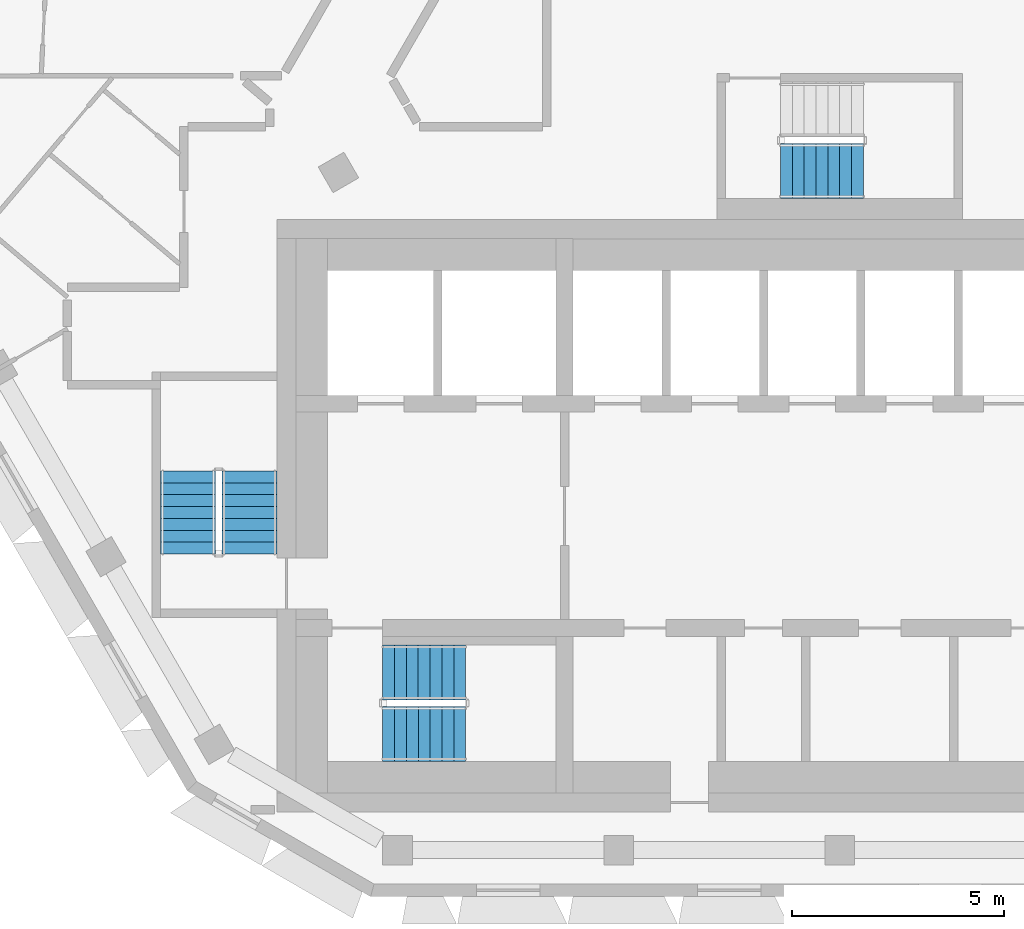
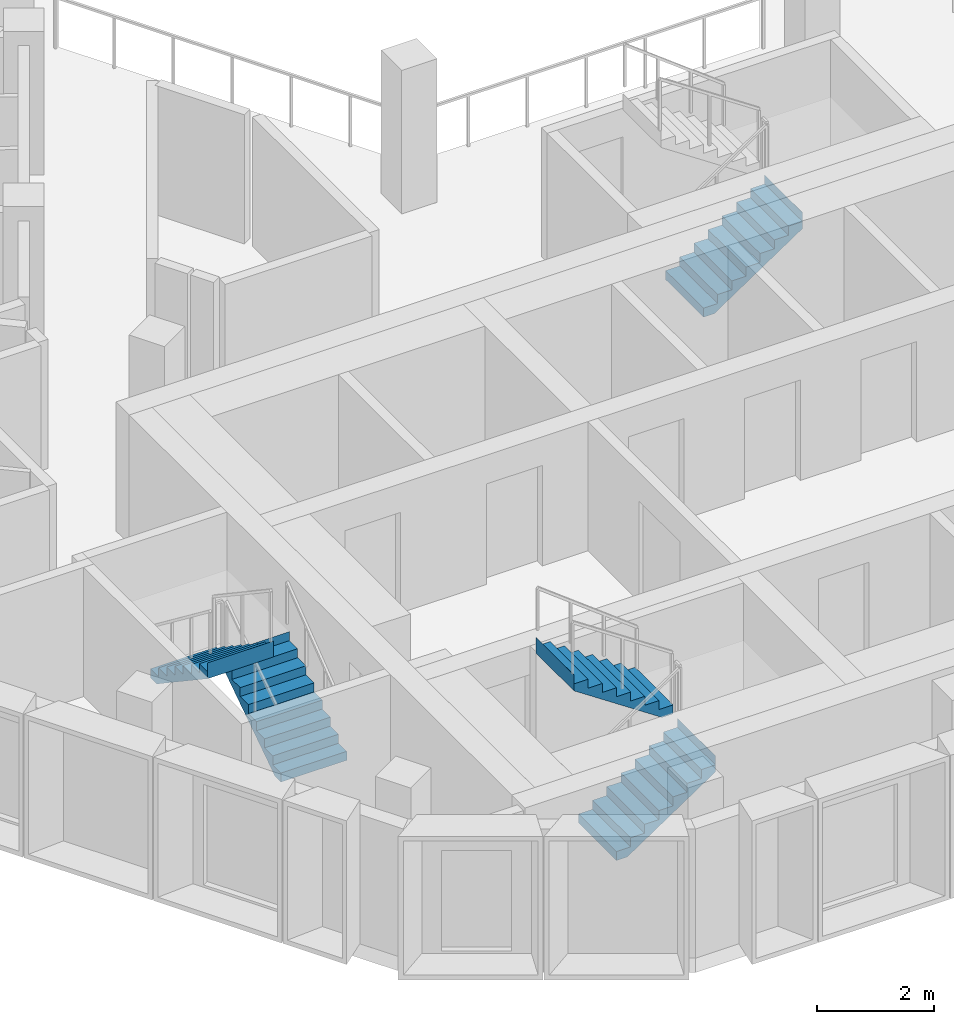
# One storey, part 9 of 15: 5 stair flights, 3 elements without a shape of their own.
"""IFC4 building model written with IfcOpenShell, lengths in metres."""

from ifc_helpers import new_model, si_unit, direction, frame, origin, place, context, subcontext, project, spatial, triangles, material, type_object, element, aggregate, save


model = new_model("IFC4")

# Units and contexts
model_context = context("Model", 3, precision=1e-05, world=origin(), true_north=direction((0.0, 1.0)))
body_context = subcontext(model_context, "Body", "Model", "MODEL_VIEW")
ifc_project = project(units=[si_unit("LENGTHUNIT", "METRE"), si_unit("AREAUNIT", "SQUARE_METRE"), si_unit("VOLUMEUNIT", "CUBIC_METRE"), si_unit("PLANEANGLEUNIT", "RADIAN"), si_unit("MASSUNIT", "GRAM", prefix="KILO")], contexts=[model_context])

# Site, building, storey
site_placement = place(None, origin())
site = spatial("IfcSite", under=ifc_project, at=site_placement, CompositionType="ELEMENT")
building_placement = place(site_placement, origin())
building = spatial("IfcBuilding", under=site, at=building_placement, Name="Beryl Residences", CompositionType="ELEMENT")
storey_placement = place(building_placement, frame((0.0, 0.0, 217.800048828125)))
storey = spatial("IfcBuildingStorey", under=building, at=storey_placement, Name="L67", CompositionType="ELEMENT", Elevation=217.800048828125)

# Stair, stair flights
ifc_material_1 = material(Name="Concrete C40/50", Category="concrete")
stair_type = type_object("IfcStairType", Name="ST1 protected exit stair, half-turn, 1300 mm flights", PredefinedType="HALF_TURN_STAIR", material=ifc_material_1)
stair_1_placement = place(storey_placement, origin())
stair_1 = element("IfcStair", 1, at=stair_1_placement, inside=storey, type_object=stair_type, Name="L67 PROTECTED EXIT STAIR ST-1", PredefinedType="HALF_TURN_STAIR")
ifc_material_2 = material(Name="Concrete C40/50", Category="concrete")
stair_flight_type = type_object("IfcStairFlightType", Name="SF1 stair flight 1300 mm", PredefinedType="STRAIGHT", material=ifc_material_2)
stair_flight_1_placement = place(storey_placement, frame((-10.800048828125, -17.14990234375, 0.0), z_axis=(0.0, 0.0, 1.0), x_axis=(1.0, 0.0, 0.0)))
stair_flight_1 = element("IfcStairFlight", 2, at=stair_flight_1_placement, type_object=stair_flight_type, Name="ST-1 flight 1", NumberOfRisers=8, NumberOfTreads=7, PredefinedType="STRAIGHT", RiserHeight=0.1875, TreadLength=0.28, context=body_context, shape_type="Tessellation", body=[
    triangles([(0.0, -0.64990234375, 0.0), (0.0, -0.324951171875, 0.0), (0.0, 0.0, 0.0), (0.0, 0.324951171875, 0.0), (0.0, 0.64990234375, 0.0), (0.0, -0.64990234375, 0.1875), (0.0, -0.324951171875, 0.1875), (0.0, 0.0, 0.1875), (0.0, 0.324951171875, 0.1875), (0.0, 0.64990234375, 0.1875), (0.280029296875, -0.64990234375, 0.1875), (0.280029296875, -0.324951171875, 0.1875), (0.280029296875, 0.0, 0.1875), (0.280029296875, 0.324951171875, 0.1875), (0.280029296875, 0.64990234375, 0.1875), (0.280029296875, -0.64990234375, 0.375), (0.280029296875, -0.324951171875, 0.375), (0.280029296875, 0.0, 0.375), (0.280029296875, 0.324951171875, 0.375), (0.280029296875, 0.64990234375, 0.375), (0.56005859375, -0.64990234375, 0.375), (0.56005859375, -0.324951171875, 0.375), (0.56005859375, 0.0, 0.375), (0.56005859375, 0.324951171875, 0.375), (0.56005859375, 0.64990234375, 0.375), (0.56005859375, -0.64990234375, 0.5625), (0.56005859375, -0.324951171875, 0.5625), (0.56005859375, 0.0, 0.5625), (0.56005859375, 0.324951171875, 0.5625), (0.56005859375, 0.64990234375, 0.5625), (0.840087890625, -0.64990234375, 0.5625), (0.840087890625, -0.324951171875, 0.5625), (0.840087890625, 0.0, 0.5625), (0.840087890625, 0.324951171875, 0.5625), (0.840087890625, 0.64990234375, 0.5625), (0.840087890625, -0.64990234375, 0.75), (0.840087890625, -0.324951171875, 0.75), (0.840087890625, 0.0, 0.75), (0.840087890625, 0.324951171875, 0.75), (0.840087890625, 0.64990234375, 0.75), (1.1201171875, -0.64990234375, 0.75), (1.1201171875, -0.324951171875, 0.75), (1.1201171875, 0.0, 0.75), (1.1201171875, 0.324951171875, 0.75), (1.1201171875, 0.64990234375, 0.75), (1.1201171875, -0.64990234375, 0.9375), (1.1201171875, -0.324951171875, 0.9375), (1.1201171875, 0.0, 0.9375), (1.1201171875, 0.324951171875, 0.9375), (1.1201171875, 0.64990234375, 0.9375), (1.39990234375, -0.64990234375, 0.9375), (1.39990234375, -0.324951171875, 0.9375), (1.39990234375, 0.0, 0.9375), (1.39990234375, 0.324951171875, 0.9375), (1.39990234375, 0.64990234375, 0.9375), (1.39990234375, -0.64990234375, 1.125), (1.39990234375, -0.324951171875, 1.125), (1.39990234375, 0.0, 1.125), (1.39990234375, 0.324951171875, 1.125), (1.39990234375, 0.64990234375, 1.125), (1.679931640625, -0.64990234375, 1.125), (1.679931640625, -0.324951171875, 1.125), (1.679931640625, 0.0, 1.125), (1.679931640625, 0.324951171875, 1.125), (1.679931640625, 0.64990234375, 1.125), (1.679931640625, -0.64990234375, 1.3125), (1.679931640625, -0.324951171875, 1.3125), (1.679931640625, 0.0, 1.3125), (1.679931640625, 0.324951171875, 1.3125), (1.679931640625, 0.64990234375, 1.3125), (1.9599609375, -0.64990234375, 1.3125), (1.9599609375, -0.324951171875, 1.3125), (1.9599609375, 0.0, 1.3125), (1.9599609375, 0.324951171875, 1.3125), (1.9599609375, 0.64990234375, 1.3125), (1.9599609375, -0.64990234375, 1.5), (1.9599609375, -0.324951171875, 1.5), (1.9599609375, 0.0, 1.5), (1.9599609375, 0.324951171875, 1.5), (1.9599609375, 0.64990234375, 1.5), (1.9609375, -0.64990234375, 1.5), (1.9609375, -0.324951171875, 1.5), (1.9609375, 0.0, 1.5), (1.9609375, 0.324951171875, 1.5), (1.9609375, 0.64990234375, 1.5), (1.9609375, -0.64990234375, 1.16796875), (1.9609375, -0.324951171875, 1.16796875), (1.9609375, 0.0, 1.16796875), (1.9609375, 0.324951171875, 1.16796875), (1.9609375, 0.64990234375, 1.16796875), (0.216796875, -0.64990234375, 0.0), (0.216796875, -0.324951171875, 0.0), (0.216796875, 0.0, 0.0), (0.216796875, 0.324951171875, 0.0), (0.216796875, 0.64990234375, 0.0)], [[1, 6, 7], [1, 7, 2], [2, 7, 8], [2, 8, 3], [3, 8, 9], [3, 9, 4], [4, 9, 10], [4, 10, 5], [6, 11, 12], [6, 12, 7], [7, 12, 13], [7, 13, 8], [8, 13, 14], [8, 14, 9], [9, 14, 15], [9, 15, 10], [11, 16, 17], [11, 17, 12], [12, 17, 18], [12, 18, 13], [13, 18, 19], [13, 19, 14], [14, 19, 20], [14, 20, 15], [16, 21, 22], [16, 22, 17], [17, 22, 23], [17, 23, 18], [18, 23, 24], [18, 24, 19], [19, 24, 25], [19, 25, 20], [21, 26, 27], [21, 27, 22], [22, 27, 28], [22, 28, 23], [23, 28, 29], [23, 29, 24], [24, 29, 30], [24, 30, 25], [26, 31, 32], [26, 32, 27], [27, 32, 33], [27, 33, 28], [28, 33, 34], [28, 34, 29], [29, 34, 35], [29, 35, 30], [31, 36, 37], [31, 37, 32], [32, 37, 38], [32, 38, 33], [33, 38, 39], [33, 39, 34], [34, 39, 40], [34, 40, 35], [36, 41, 42], [36, 42, 37], [37, 42, 43], [37, 43, 38], [38, 43, 44], [38, 44, 39], [39, 44, 45], [39, 45, 40], [41, 46, 47], [41, 47, 42], [42, 47, 48], [42, 48, 43], [43, 48, 49], [43, 49, 44], [44, 49, 50], [44, 50, 45], [46, 51, 52], [46, 52, 47], [47, 52, 53], [47, 53, 48], [48, 53, 54], [48, 54, 49], [49, 54, 55], [49, 55, 50], [51, 56, 57], [51, 57, 52], [52, 57, 58], [52, 58, 53], [53, 58, 59], [53, 59, 54], [54, 59, 60], [54, 60, 55], [56, 61, 62], [56, 62, 57], [57, 62, 63], [57, 63, 58], [58, 63, 64], [58, 64, 59], [59, 64, 65], [59, 65, 60], [61, 66, 67], [61, 67, 62], [62, 67, 68], [62, 68, 63], [63, 68, 69], [63, 69, 64], [64, 69, 70], [64, 70, 65], [66, 71, 72], [66, 72, 67], [67, 72, 73], [67, 73, 68], [68, 73, 74], [68, 74, 69], [69, 74, 75], [69, 75, 70], [71, 76, 77], [71, 77, 72], [72, 77, 78], [72, 78, 73], [73, 78, 79], [73, 79, 74], [74, 79, 80], [74, 80, 75], [76, 81, 82], [76, 82, 77], [77, 82, 83], [77, 83, 78], [78, 83, 84], [78, 84, 79], [79, 84, 85], [79, 85, 80], [81, 86, 87], [81, 87, 82], [82, 87, 88], [82, 88, 83], [83, 88, 89], [83, 89, 84], [84, 89, 90], [84, 90, 85], [86, 91, 92], [86, 92, 87], [87, 92, 93], [87, 93, 88], [88, 93, 94], [88, 94, 89], [89, 94, 95], [89, 95, 90], [91, 1, 2], [91, 2, 92], [92, 2, 3], [92, 3, 93], [93, 3, 4], [93, 4, 94], [94, 4, 5], [94, 5, 95], [1, 91, 86], [5, 90, 95], [86, 81, 76], [90, 80, 85], [86, 76, 71], [90, 75, 80], [86, 71, 66], [90, 70, 75], [86, 66, 61], [90, 65, 70], [61, 56, 51], [65, 55, 60], [86, 61, 51], [90, 55, 65], [51, 46, 41], [55, 45, 50], [86, 51, 41], [90, 45, 55], [41, 36, 31], [45, 35, 40], [86, 41, 31], [90, 35, 45], [31, 26, 21], [35, 25, 30], [86, 31, 21], [90, 25, 35], [21, 16, 11], [25, 15, 20], [86, 21, 11], [90, 15, 25], [1, 86, 11], [5, 15, 90], [11, 6, 1], [15, 5, 10]], closed=True),
])
stair_flight_2_placement = place(storey_placement, frame((-8.840087890625, -15.699951171875, 1.5), z_axis=(0.0, 0.0, 1.0), x_axis=(-1.0, 0.0, 0.0)))
stair_flight_2 = element("IfcStairFlight", 3, at=stair_flight_2_placement, type_object=stair_flight_type, Name="ST-1 flight 2", NumberOfRisers=8, NumberOfTreads=7, PredefinedType="STRAIGHT", RiserHeight=0.1875, TreadLength=0.28, context=body_context, shape_type="Tessellation", body=[
    triangles([(0.0, -0.64990234375, 0.0), (0.0, -0.324951171875, 0.0), (0.0, 0.0, 0.0), (0.0, 0.324951171875, 0.0), (0.0, 0.64990234375, 0.0), (0.0, -0.64990234375, 0.1875), (0.0, -0.324951171875, 0.1875), (0.0, 0.0, 0.1875), (0.0, 0.324951171875, 0.1875), (0.0, 0.64990234375, 0.1875), (0.280029296875, -0.64990234375, 0.1875), (0.280029296875, -0.324951171875, 0.1875), (0.280029296875, 0.0, 0.1875), (0.280029296875, 0.324951171875, 0.1875), (0.280029296875, 0.64990234375, 0.1875), (0.280029296875, -0.64990234375, 0.375), (0.280029296875, -0.324951171875, 0.375), (0.280029296875, 0.0, 0.375), (0.280029296875, 0.324951171875, 0.375), (0.280029296875, 0.64990234375, 0.375), (0.56005859375, -0.64990234375, 0.375), (0.56005859375, -0.324951171875, 0.375), (0.56005859375, 0.0, 0.375), (0.56005859375, 0.324951171875, 0.375), (0.56005859375, 0.64990234375, 0.375), (0.56005859375, -0.64990234375, 0.5625), (0.56005859375, -0.324951171875, 0.5625), (0.56005859375, 0.0, 0.5625), (0.56005859375, 0.324951171875, 0.5625), (0.56005859375, 0.64990234375, 0.5625), (0.840087890625, -0.64990234375, 0.5625), (0.840087890625, -0.324951171875, 0.5625), (0.840087890625, 0.0, 0.5625), (0.840087890625, 0.324951171875, 0.5625), (0.840087890625, 0.64990234375, 0.5625), (0.840087890625, -0.64990234375, 0.75), (0.840087890625, -0.324951171875, 0.75), (0.840087890625, 0.0, 0.75), (0.840087890625, 0.324951171875, 0.75), (0.840087890625, 0.64990234375, 0.75), (1.1201171875, -0.64990234375, 0.75), (1.1201171875, -0.324951171875, 0.75), (1.1201171875, 0.0, 0.75), (1.1201171875, 0.324951171875, 0.75), (1.1201171875, 0.64990234375, 0.75), (1.1201171875, -0.64990234375, 0.9375), (1.1201171875, -0.324951171875, 0.9375), (1.1201171875, 0.0, 0.9375), (1.1201171875, 0.324951171875, 0.9375), (1.1201171875, 0.64990234375, 0.9375), (1.39990234375, -0.64990234375, 0.9375), (1.39990234375, -0.324951171875, 0.9375), (1.39990234375, 0.0, 0.9375), (1.39990234375, 0.324951171875, 0.9375), (1.39990234375, 0.64990234375, 0.9375), (1.39990234375, -0.64990234375, 1.125), (1.39990234375, -0.324951171875, 1.125), (1.39990234375, 0.0, 1.125), (1.39990234375, 0.324951171875, 1.125), (1.39990234375, 0.64990234375, 1.125), (1.679931640625, -0.64990234375, 1.125), (1.679931640625, -0.324951171875, 1.125), (1.679931640625, 0.0, 1.125), (1.679931640625, 0.324951171875, 1.125), (1.679931640625, 0.64990234375, 1.125), (1.679931640625, -0.64990234375, 1.3125), (1.679931640625, -0.324951171875, 1.3125), (1.679931640625, 0.0, 1.3125), (1.679931640625, 0.324951171875, 1.3125), (1.679931640625, 0.64990234375, 1.3125), (1.9599609375, -0.64990234375, 1.3125), (1.9599609375, -0.324951171875, 1.3125), (1.9599609375, 0.0, 1.3125), (1.9599609375, 0.324951171875, 1.3125), (1.9599609375, 0.64990234375, 1.3125), (1.9599609375, -0.64990234375, 1.5), (1.9599609375, -0.324951171875, 1.5), (1.9599609375, 0.0, 1.5), (1.9599609375, 0.324951171875, 1.5), (1.9599609375, 0.64990234375, 1.5), (1.9609375, -0.64990234375, 1.5), (1.9609375, -0.324951171875, 1.5), (1.9609375, 0.0, 1.5), (1.9609375, 0.324951171875, 1.5), (1.9609375, 0.64990234375, 1.5), (1.9609375, -0.64990234375, 1.16796875), (1.9609375, -0.324951171875, 1.16796875), (1.9609375, 0.0, 1.16796875), (1.9609375, 0.324951171875, 1.16796875), (1.9609375, 0.64990234375, 1.16796875), (0.216796875, -0.64990234375, 0.0), (0.216796875, -0.324951171875, 0.0), (0.216796875, 0.0, 0.0), (0.216796875, 0.324951171875, 0.0), (0.216796875, 0.64990234375, 0.0)], [[1, 6, 7], [1, 7, 2], [2, 7, 8], [2, 8, 3], [3, 8, 9], [3, 9, 4], [4, 9, 10], [4, 10, 5], [6, 11, 12], [6, 12, 7], [7, 12, 13], [7, 13, 8], [8, 13, 14], [8, 14, 9], [9, 14, 15], [9, 15, 10], [11, 16, 17], [11, 17, 12], [12, 17, 18], [12, 18, 13], [13, 18, 19], [13, 19, 14], [14, 19, 20], [14, 20, 15], [16, 21, 22], [16, 22, 17], [17, 22, 23], [17, 23, 18], [18, 23, 24], [18, 24, 19], [19, 24, 25], [19, 25, 20], [21, 26, 27], [21, 27, 22], [22, 27, 28], [22, 28, 23], [23, 28, 29], [23, 29, 24], [24, 29, 30], [24, 30, 25], [26, 31, 32], [26, 32, 27], [27, 32, 33], [27, 33, 28], [28, 33, 34], [28, 34, 29], [29, 34, 35], [29, 35, 30], [31, 36, 37], [31, 37, 32], [32, 37, 38], [32, 38, 33], [33, 38, 39], [33, 39, 34], [34, 39, 40], [34, 40, 35], [36, 41, 42], [36, 42, 37], [37, 42, 43], [37, 43, 38], [38, 43, 44], [38, 44, 39], [39, 44, 45], [39, 45, 40], [41, 46, 47], [41, 47, 42], [42, 47, 48], [42, 48, 43], [43, 48, 49], [43, 49, 44], [44, 49, 50], [44, 50, 45], [46, 51, 52], [46, 52, 47], [47, 52, 53], [47, 53, 48], [48, 53, 54], [48, 54, 49], [49, 54, 55], [49, 55, 50], [51, 56, 57], [51, 57, 52], [52, 57, 58], [52, 58, 53], [53, 58, 59], [53, 59, 54], [54, 59, 60], [54, 60, 55], [56, 61, 62], [56, 62, 57], [57, 62, 63], [57, 63, 58], [58, 63, 64], [58, 64, 59], [59, 64, 65], [59, 65, 60], [61, 66, 67], [61, 67, 62], [62, 67, 68], [62, 68, 63], [63, 68, 69], [63, 69, 64], [64, 69, 70], [64, 70, 65], [66, 71, 72], [66, 72, 67], [67, 72, 73], [67, 73, 68], [68, 73, 74], [68, 74, 69], [69, 74, 75], [69, 75, 70], [71, 76, 77], [71, 77, 72], [72, 77, 78], [72, 78, 73], [73, 78, 79], [73, 79, 74], [74, 79, 80], [74, 80, 75], [76, 81, 82], [76, 82, 77], [77, 82, 83], [77, 83, 78], [78, 83, 84], [78, 84, 79], [79, 84, 85], [79, 85, 80], [81, 86, 87], [81, 87, 82], [82, 87, 88], [82, 88, 83], [83, 88, 89], [83, 89, 84], [84, 89, 90], [84, 90, 85], [86, 91, 92], [86, 92, 87], [87, 92, 93], [87, 93, 88], [88, 93, 94], [88, 94, 89], [89, 94, 95], [89, 95, 90], [91, 1, 2], [91, 2, 92], [92, 2, 3], [92, 3, 93], [93, 3, 4], [93, 4, 94], [94, 4, 5], [94, 5, 95], [1, 91, 86], [5, 90, 95], [86, 81, 76], [90, 80, 85], [86, 76, 71], [90, 75, 80], [86, 71, 66], [90, 70, 75], [86, 66, 61], [90, 65, 70], [61, 56, 51], [65, 55, 60], [86, 61, 51], [90, 55, 65], [51, 46, 41], [55, 45, 50], [86, 51, 41], [90, 45, 55], [41, 36, 31], [45, 35, 40], [86, 41, 31], [90, 35, 45], [31, 26, 21], [35, 25, 30], [86, 31, 21], [90, 25, 35], [21, 16, 11], [25, 15, 20], [86, 21, 11], [90, 15, 25], [1, 86, 11], [5, 15, 90], [11, 6, 1], [15, 5, 10]], closed=True),
])
aggregate(stair_1, [stair_flight_1, stair_flight_2])

stair_2_placement = place(storey_placement, origin())
stair_2 = element("IfcStair", 4, at=stair_2_placement, inside=storey, type_object=stair_type, Name="L67 PROTECTED EXIT STAIR ST-2", PredefinedType="HALF_TURN_STAIR")
stair_flight_3_placement = place(storey_placement, frame((-13.949951171875, -12.89990234375, 0.0), z_axis=(0.0, 0.0, 1.0), x_axis=(0.0, 1.0, 0.0)))
stair_flight_3 = element("IfcStairFlight", 5, at=stair_flight_3_placement, type_object=stair_flight_type, Name="ST-2 flight 1", NumberOfRisers=8, NumberOfTreads=7, PredefinedType="STRAIGHT", RiserHeight=0.1875, TreadLength=0.28, context=body_context, shape_type="Tessellation", body=[
    triangles([(0.0, -0.64990234375, 0.0), (0.0, -0.324951171875, 0.0), (0.0, 0.0, 0.0), (0.0, 0.324951171875, 0.0), (0.0, 0.64990234375, 0.0), (0.0, -0.64990234375, 0.1875), (0.0, -0.324951171875, 0.1875), (0.0, 0.0, 0.1875), (0.0, 0.324951171875, 0.1875), (0.0, 0.64990234375, 0.1875), (0.280029296875, -0.64990234375, 0.1875), (0.280029296875, -0.324951171875, 0.1875), (0.280029296875, 0.0, 0.1875), (0.280029296875, 0.324951171875, 0.1875), (0.280029296875, 0.64990234375, 0.1875), (0.280029296875, -0.64990234375, 0.375), (0.280029296875, -0.324951171875, 0.375), (0.280029296875, 0.0, 0.375), (0.280029296875, 0.324951171875, 0.375), (0.280029296875, 0.64990234375, 0.375), (0.56005859375, -0.64990234375, 0.375), (0.56005859375, -0.324951171875, 0.375), (0.56005859375, 0.0, 0.375), (0.56005859375, 0.324951171875, 0.375), (0.56005859375, 0.64990234375, 0.375), (0.56005859375, -0.64990234375, 0.5625), (0.56005859375, -0.324951171875, 0.5625), (0.56005859375, 0.0, 0.5625), (0.56005859375, 0.324951171875, 0.5625), (0.56005859375, 0.64990234375, 0.5625), (0.840087890625, -0.64990234375, 0.5625), (0.840087890625, -0.324951171875, 0.5625), (0.840087890625, 0.0, 0.5625), (0.840087890625, 0.324951171875, 0.5625), (0.840087890625, 0.64990234375, 0.5625), (0.840087890625, -0.64990234375, 0.75), (0.840087890625, -0.324951171875, 0.75), (0.840087890625, 0.0, 0.75), (0.840087890625, 0.324951171875, 0.75), (0.840087890625, 0.64990234375, 0.75), (1.1201171875, -0.64990234375, 0.75), (1.1201171875, -0.324951171875, 0.75), (1.1201171875, 0.0, 0.75), (1.1201171875, 0.324951171875, 0.75), (1.1201171875, 0.64990234375, 0.75), (1.1201171875, -0.64990234375, 0.9375), (1.1201171875, -0.324951171875, 0.9375), (1.1201171875, 0.0, 0.9375), (1.1201171875, 0.324951171875, 0.9375), (1.1201171875, 0.64990234375, 0.9375), (1.39990234375, -0.64990234375, 0.9375), (1.39990234375, -0.324951171875, 0.9375), (1.39990234375, 0.0, 0.9375), (1.39990234375, 0.324951171875, 0.9375), (1.39990234375, 0.64990234375, 0.9375), (1.39990234375, -0.64990234375, 1.125), (1.39990234375, -0.324951171875, 1.125), (1.39990234375, 0.0, 1.125), (1.39990234375, 0.324951171875, 1.125), (1.39990234375, 0.64990234375, 1.125), (1.679931640625, -0.64990234375, 1.125), (1.679931640625, -0.324951171875, 1.125), (1.679931640625, 0.0, 1.125), (1.679931640625, 0.324951171875, 1.125), (1.679931640625, 0.64990234375, 1.125), (1.679931640625, -0.64990234375, 1.3125), (1.679931640625, -0.324951171875, 1.3125), (1.679931640625, 0.0, 1.3125), (1.679931640625, 0.324951171875, 1.3125), (1.679931640625, 0.64990234375, 1.3125), (1.9599609375, -0.64990234375, 1.3125), (1.9599609375, -0.324951171875, 1.3125), (1.9599609375, 0.0, 1.3125), (1.9599609375, 0.324951171875, 1.3125), (1.9599609375, 0.64990234375, 1.3125), (1.9599609375, -0.64990234375, 1.5), (1.9599609375, -0.324951171875, 1.5), (1.9599609375, 0.0, 1.5), (1.9599609375, 0.324951171875, 1.5), (1.9599609375, 0.64990234375, 1.5), (1.9609375, -0.64990234375, 1.5), (1.9609375, -0.324951171875, 1.5), (1.9609375, 0.0, 1.5), (1.9609375, 0.324951171875, 1.5), (1.9609375, 0.64990234375, 1.5), (1.9609375, -0.64990234375, 1.16796875), (1.9609375, -0.324951171875, 1.16796875), (1.9609375, 0.0, 1.16796875), (1.9609375, 0.324951171875, 1.16796875), (1.9609375, 0.64990234375, 1.16796875), (0.216796875, -0.64990234375, 0.0), (0.216796875, -0.324951171875, 0.0), (0.216796875, 0.0, 0.0), (0.216796875, 0.324951171875, 0.0), (0.216796875, 0.64990234375, 0.0)], [[1, 6, 7], [1, 7, 2], [2, 7, 8], [2, 8, 3], [3, 8, 9], [3, 9, 4], [4, 9, 10], [4, 10, 5], [6, 11, 12], [6, 12, 7], [7, 12, 13], [7, 13, 8], [8, 13, 14], [8, 14, 9], [9, 14, 15], [9, 15, 10], [11, 16, 17], [11, 17, 12], [12, 17, 18], [12, 18, 13], [13, 18, 19], [13, 19, 14], [14, 19, 20], [14, 20, 15], [16, 21, 22], [16, 22, 17], [17, 22, 23], [17, 23, 18], [18, 23, 24], [18, 24, 19], [19, 24, 25], [19, 25, 20], [21, 26, 27], [21, 27, 22], [22, 27, 28], [22, 28, 23], [23, 28, 29], [23, 29, 24], [24, 29, 30], [24, 30, 25], [26, 31, 32], [26, 32, 27], [27, 32, 33], [27, 33, 28], [28, 33, 34], [28, 34, 29], [29, 34, 35], [29, 35, 30], [31, 36, 37], [31, 37, 32], [32, 37, 38], [32, 38, 33], [33, 38, 39], [33, 39, 34], [34, 39, 40], [34, 40, 35], [36, 41, 42], [36, 42, 37], [37, 42, 43], [37, 43, 38], [38, 43, 44], [38, 44, 39], [39, 44, 45], [39, 45, 40], [41, 46, 47], [41, 47, 42], [42, 47, 48], [42, 48, 43], [43, 48, 49], [43, 49, 44], [44, 49, 50], [44, 50, 45], [46, 51, 52], [46, 52, 47], [47, 52, 53], [47, 53, 48], [48, 53, 54], [48, 54, 49], [49, 54, 55], [49, 55, 50], [51, 56, 57], [51, 57, 52], [52, 57, 58], [52, 58, 53], [53, 58, 59], [53, 59, 54], [54, 59, 60], [54, 60, 55], [56, 61, 62], [56, 62, 57], [57, 62, 63], [57, 63, 58], [58, 63, 64], [58, 64, 59], [59, 64, 65], [59, 65, 60], [61, 66, 67], [61, 67, 62], [62, 67, 68], [62, 68, 63], [63, 68, 69], [63, 69, 64], [64, 69, 70], [64, 70, 65], [66, 71, 72], [66, 72, 67], [67, 72, 73], [67, 73, 68], [68, 73, 74], [68, 74, 69], [69, 74, 75], [69, 75, 70], [71, 76, 77], [71, 77, 72], [72, 77, 78], [72, 78, 73], [73, 78, 79], [73, 79, 74], [74, 79, 80], [74, 80, 75], [76, 81, 82], [76, 82, 77], [77, 82, 83], [77, 83, 78], [78, 83, 84], [78, 84, 79], [79, 84, 85], [79, 85, 80], [81, 86, 87], [81, 87, 82], [82, 87, 88], [82, 88, 83], [83, 88, 89], [83, 89, 84], [84, 89, 90], [84, 90, 85], [86, 91, 92], [86, 92, 87], [87, 92, 93], [87, 93, 88], [88, 93, 94], [88, 94, 89], [89, 94, 95], [89, 95, 90], [91, 1, 2], [91, 2, 92], [92, 2, 3], [92, 3, 93], [93, 3, 4], [93, 4, 94], [94, 4, 5], [94, 5, 95], [1, 91, 86], [5, 90, 95], [86, 81, 76], [90, 80, 85], [86, 76, 71], [90, 75, 80], [86, 71, 66], [90, 70, 75], [86, 66, 61], [90, 65, 70], [61, 56, 51], [65, 55, 60], [86, 61, 51], [90, 55, 65], [51, 46, 41], [55, 45, 50], [86, 51, 41], [90, 45, 55], [41, 36, 31], [45, 35, 40], [86, 41, 31], [90, 35, 45], [31, 26, 21], [35, 25, 30], [86, 31, 21], [90, 25, 35], [21, 16, 11], [25, 15, 20], [86, 21, 11], [90, 15, 25], [1, 86, 11], [5, 15, 90], [11, 6, 1], [15, 5, 10]], closed=True),
])
stair_flight_4_placement = place(storey_placement, frame((-15.39990234375, -10.93994140625, 1.5), z_axis=(0.0, 0.0, 1.0), x_axis=(0.0, -1.0, 0.0)))
stair_flight_4 = element("IfcStairFlight", 6, at=stair_flight_4_placement, type_object=stair_flight_type, Name="ST-2 flight 2", NumberOfRisers=8, NumberOfTreads=7, PredefinedType="STRAIGHT", RiserHeight=0.1875, TreadLength=0.28, context=body_context, shape_type="Tessellation", body=[
    triangles([(0.0, -0.64990234375, 0.0), (0.0, -0.324951171875, 0.0), (0.0, 0.0, 0.0), (0.0, 0.324951171875, 0.0), (0.0, 0.64990234375, 0.0), (0.0, -0.64990234375, 0.1875), (0.0, -0.324951171875, 0.1875), (0.0, 0.0, 0.1875), (0.0, 0.324951171875, 0.1875), (0.0, 0.64990234375, 0.1875), (0.280029296875, -0.64990234375, 0.1875), (0.280029296875, -0.324951171875, 0.1875), (0.280029296875, 0.0, 0.1875), (0.280029296875, 0.324951171875, 0.1875), (0.280029296875, 0.64990234375, 0.1875), (0.280029296875, -0.64990234375, 0.375), (0.280029296875, -0.324951171875, 0.375), (0.280029296875, 0.0, 0.375), (0.280029296875, 0.324951171875, 0.375), (0.280029296875, 0.64990234375, 0.375), (0.56005859375, -0.64990234375, 0.375), (0.56005859375, -0.324951171875, 0.375), (0.56005859375, 0.0, 0.375), (0.56005859375, 0.324951171875, 0.375), (0.56005859375, 0.64990234375, 0.375), (0.56005859375, -0.64990234375, 0.5625), (0.56005859375, -0.324951171875, 0.5625), (0.56005859375, 0.0, 0.5625), (0.56005859375, 0.324951171875, 0.5625), (0.56005859375, 0.64990234375, 0.5625), (0.840087890625, -0.64990234375, 0.5625), (0.840087890625, -0.324951171875, 0.5625), (0.840087890625, 0.0, 0.5625), (0.840087890625, 0.324951171875, 0.5625), (0.840087890625, 0.64990234375, 0.5625), (0.840087890625, -0.64990234375, 0.75), (0.840087890625, -0.324951171875, 0.75), (0.840087890625, 0.0, 0.75), (0.840087890625, 0.324951171875, 0.75), (0.840087890625, 0.64990234375, 0.75), (1.1201171875, -0.64990234375, 0.75), (1.1201171875, -0.324951171875, 0.75), (1.1201171875, 0.0, 0.75), (1.1201171875, 0.324951171875, 0.75), (1.1201171875, 0.64990234375, 0.75), (1.1201171875, -0.64990234375, 0.9375), (1.1201171875, -0.324951171875, 0.9375), (1.1201171875, 0.0, 0.9375), (1.1201171875, 0.324951171875, 0.9375), (1.1201171875, 0.64990234375, 0.9375), (1.39990234375, -0.64990234375, 0.9375), (1.39990234375, -0.324951171875, 0.9375), (1.39990234375, 0.0, 0.9375), (1.39990234375, 0.324951171875, 0.9375), (1.39990234375, 0.64990234375, 0.9375), (1.39990234375, -0.64990234375, 1.125), (1.39990234375, -0.324951171875, 1.125), (1.39990234375, 0.0, 1.125), (1.39990234375, 0.324951171875, 1.125), (1.39990234375, 0.64990234375, 1.125), (1.679931640625, -0.64990234375, 1.125), (1.679931640625, -0.324951171875, 1.125), (1.679931640625, 0.0, 1.125), (1.679931640625, 0.324951171875, 1.125), (1.679931640625, 0.64990234375, 1.125), (1.679931640625, -0.64990234375, 1.3125), (1.679931640625, -0.324951171875, 1.3125), (1.679931640625, 0.0, 1.3125), (1.679931640625, 0.324951171875, 1.3125), (1.679931640625, 0.64990234375, 1.3125), (1.9599609375, -0.64990234375, 1.3125), (1.9599609375, -0.324951171875, 1.3125), (1.9599609375, 0.0, 1.3125), (1.9599609375, 0.324951171875, 1.3125), (1.9599609375, 0.64990234375, 1.3125), (1.9599609375, -0.64990234375, 1.5), (1.9599609375, -0.324951171875, 1.5), (1.9599609375, 0.0, 1.5), (1.9599609375, 0.324951171875, 1.5), (1.9599609375, 0.64990234375, 1.5), (1.9609375, -0.64990234375, 1.5), (1.9609375, -0.324951171875, 1.5), (1.9609375, 0.0, 1.5), (1.9609375, 0.324951171875, 1.5), (1.9609375, 0.64990234375, 1.5), (1.9609375, -0.64990234375, 1.16796875), (1.9609375, -0.324951171875, 1.16796875), (1.9609375, 0.0, 1.16796875), (1.9609375, 0.324951171875, 1.16796875), (1.9609375, 0.64990234375, 1.16796875), (0.216796875, -0.64990234375, 0.0), (0.216796875, -0.324951171875, 0.0), (0.216796875, 0.0, 0.0), (0.216796875, 0.324951171875, 0.0), (0.216796875, 0.64990234375, 0.0)], [[1, 6, 7], [1, 7, 2], [2, 7, 8], [2, 8, 3], [3, 8, 9], [3, 9, 4], [4, 9, 10], [4, 10, 5], [6, 11, 12], [6, 12, 7], [7, 12, 13], [7, 13, 8], [8, 13, 14], [8, 14, 9], [9, 14, 15], [9, 15, 10], [11, 16, 17], [11, 17, 12], [12, 17, 18], [12, 18, 13], [13, 18, 19], [13, 19, 14], [14, 19, 20], [14, 20, 15], [16, 21, 22], [16, 22, 17], [17, 22, 23], [17, 23, 18], [18, 23, 24], [18, 24, 19], [19, 24, 25], [19, 25, 20], [21, 26, 27], [21, 27, 22], [22, 27, 28], [22, 28, 23], [23, 28, 29], [23, 29, 24], [24, 29, 30], [24, 30, 25], [26, 31, 32], [26, 32, 27], [27, 32, 33], [27, 33, 28], [28, 33, 34], [28, 34, 29], [29, 34, 35], [29, 35, 30], [31, 36, 37], [31, 37, 32], [32, 37, 38], [32, 38, 33], [33, 38, 39], [33, 39, 34], [34, 39, 40], [34, 40, 35], [36, 41, 42], [36, 42, 37], [37, 42, 43], [37, 43, 38], [38, 43, 44], [38, 44, 39], [39, 44, 45], [39, 45, 40], [41, 46, 47], [41, 47, 42], [42, 47, 48], [42, 48, 43], [43, 48, 49], [43, 49, 44], [44, 49, 50], [44, 50, 45], [46, 51, 52], [46, 52, 47], [47, 52, 53], [47, 53, 48], [48, 53, 54], [48, 54, 49], [49, 54, 55], [49, 55, 50], [51, 56, 57], [51, 57, 52], [52, 57, 58], [52, 58, 53], [53, 58, 59], [53, 59, 54], [54, 59, 60], [54, 60, 55], [56, 61, 62], [56, 62, 57], [57, 62, 63], [57, 63, 58], [58, 63, 64], [58, 64, 59], [59, 64, 65], [59, 65, 60], [61, 66, 67], [61, 67, 62], [62, 67, 68], [62, 68, 63], [63, 68, 69], [63, 69, 64], [64, 69, 70], [64, 70, 65], [66, 71, 72], [66, 72, 67], [67, 72, 73], [67, 73, 68], [68, 73, 74], [68, 74, 69], [69, 74, 75], [69, 75, 70], [71, 76, 77], [71, 77, 72], [72, 77, 78], [72, 78, 73], [73, 78, 79], [73, 79, 74], [74, 79, 80], [74, 80, 75], [76, 81, 82], [76, 82, 77], [77, 82, 83], [77, 83, 78], [78, 83, 84], [78, 84, 79], [79, 84, 85], [79, 85, 80], [81, 86, 87], [81, 87, 82], [82, 87, 88], [82, 88, 83], [83, 88, 89], [83, 89, 84], [84, 89, 90], [84, 90, 85], [86, 91, 92], [86, 92, 87], [87, 92, 93], [87, 93, 88], [88, 93, 94], [88, 94, 89], [89, 94, 95], [89, 95, 90], [91, 1, 2], [91, 2, 92], [92, 2, 3], [92, 3, 93], [93, 3, 4], [93, 4, 94], [94, 4, 5], [94, 5, 95], [1, 91, 86], [5, 90, 95], [86, 81, 76], [90, 80, 85], [86, 76, 71], [90, 75, 80], [86, 71, 66], [90, 70, 75], [86, 66, 61], [90, 65, 70], [61, 56, 51], [65, 55, 60], [86, 61, 51], [90, 55, 65], [51, 46, 41], [55, 45, 50], [86, 51, 41], [90, 45, 55], [41, 36, 31], [45, 35, 40], [86, 41, 31], [90, 35, 45], [31, 26, 21], [35, 25, 30], [86, 31, 21], [90, 25, 35], [21, 16, 11], [25, 15, 20], [86, 21, 11], [90, 15, 25], [1, 86, 11], [5, 15, 90], [11, 6, 1], [15, 5, 10]], closed=True),
])
aggregate(stair_2, [stair_flight_3, stair_flight_4])

# Stair, stair flight
stair_3_placement = place(storey_placement, origin())
stair_3 = element("IfcStair", 7, at=stair_3_placement, inside=storey, type_object=stair_type, Name="L67 PROTECTED EXIT STAIR ST-4", PredefinedType="HALF_TURN_STAIR")
stair_flight_5_placement = place(storey_placement, frame((-1.39990234375, -3.85009765625, 0.0), z_axis=(0.0, 0.0, 1.0), x_axis=(1.0, 0.0, 0.0)))
stair_flight_5 = element("IfcStairFlight", 8, at=stair_flight_5_placement, type_object=stair_flight_type, Name="ST-4 flight 1", NumberOfRisers=8, NumberOfTreads=7, PredefinedType="STRAIGHT", RiserHeight=0.1875, TreadLength=0.28, context=body_context, shape_type="Tessellation", body=[
    triangles([(0.0, -0.64990234375, 0.0), (0.0, -0.324951171875, 0.0), (0.0, 0.0, 0.0), (0.0, 0.324951171875, 0.0), (0.0, 0.64990234375, 0.0), (0.0, -0.64990234375, 0.1875), (0.0, -0.324951171875, 0.1875), (0.0, 0.0, 0.1875), (0.0, 0.324951171875, 0.1875), (0.0, 0.64990234375, 0.1875), (0.280029296875, -0.64990234375, 0.1875), (0.280029296875, -0.324951171875, 0.1875), (0.280029296875, 0.0, 0.1875), (0.280029296875, 0.324951171875, 0.1875), (0.280029296875, 0.64990234375, 0.1875), (0.280029296875, -0.64990234375, 0.375), (0.280029296875, -0.324951171875, 0.375), (0.280029296875, 0.0, 0.375), (0.280029296875, 0.324951171875, 0.375), (0.280029296875, 0.64990234375, 0.375), (0.56005859375, -0.64990234375, 0.375), (0.56005859375, -0.324951171875, 0.375), (0.56005859375, 0.0, 0.375), (0.56005859375, 0.324951171875, 0.375), (0.56005859375, 0.64990234375, 0.375), (0.56005859375, -0.64990234375, 0.5625), (0.56005859375, -0.324951171875, 0.5625), (0.56005859375, 0.0, 0.5625), (0.56005859375, 0.324951171875, 0.5625), (0.56005859375, 0.64990234375, 0.5625), (0.840087890625, -0.64990234375, 0.5625), (0.840087890625, -0.324951171875, 0.5625), (0.840087890625, 0.0, 0.5625), (0.840087890625, 0.324951171875, 0.5625), (0.840087890625, 0.64990234375, 0.5625), (0.840087890625, -0.64990234375, 0.75), (0.840087890625, -0.324951171875, 0.75), (0.840087890625, 0.0, 0.75), (0.840087890625, 0.324951171875, 0.75), (0.840087890625, 0.64990234375, 0.75), (1.1201171875, -0.64990234375, 0.75), (1.1201171875, -0.324951171875, 0.75), (1.1201171875, 0.0, 0.75), (1.1201171875, 0.324951171875, 0.75), (1.1201171875, 0.64990234375, 0.75), (1.1201171875, -0.64990234375, 0.9375), (1.1201171875, -0.324951171875, 0.9375), (1.1201171875, 0.0, 0.9375), (1.1201171875, 0.324951171875, 0.9375), (1.1201171875, 0.64990234375, 0.9375), (1.39990234375, -0.64990234375, 0.9375), (1.39990234375, -0.324951171875, 0.9375), (1.39990234375, 0.0, 0.9375), (1.39990234375, 0.324951171875, 0.9375), (1.39990234375, 0.64990234375, 0.9375), (1.39990234375, -0.64990234375, 1.125), (1.39990234375, -0.324951171875, 1.125), (1.39990234375, 0.0, 1.125), (1.39990234375, 0.324951171875, 1.125), (1.39990234375, 0.64990234375, 1.125), (1.679931640625, -0.64990234375, 1.125), (1.679931640625, -0.324951171875, 1.125), (1.679931640625, 0.0, 1.125), (1.679931640625, 0.324951171875, 1.125), (1.679931640625, 0.64990234375, 1.125), (1.679931640625, -0.64990234375, 1.3125), (1.679931640625, -0.324951171875, 1.3125), (1.679931640625, 0.0, 1.3125), (1.679931640625, 0.324951171875, 1.3125), (1.679931640625, 0.64990234375, 1.3125), (1.9599609375, -0.64990234375, 1.3125), (1.9599609375, -0.324951171875, 1.3125), (1.9599609375, 0.0, 1.3125), (1.9599609375, 0.324951171875, 1.3125), (1.9599609375, 0.64990234375, 1.3125), (1.9599609375, -0.64990234375, 1.5), (1.9599609375, -0.324951171875, 1.5), (1.9599609375, 0.0, 1.5), (1.9599609375, 0.324951171875, 1.5), (1.9599609375, 0.64990234375, 1.5), (1.9609375, -0.64990234375, 1.5), (1.9609375, -0.324951171875, 1.5), (1.9609375, 0.0, 1.5), (1.9609375, 0.324951171875, 1.5), (1.9609375, 0.64990234375, 1.5), (1.9609375, -0.64990234375, 1.16796875), (1.9609375, -0.324951171875, 1.16796875), (1.9609375, 0.0, 1.16796875), (1.9609375, 0.324951171875, 1.16796875), (1.9609375, 0.64990234375, 1.16796875), (0.216796875, -0.64990234375, 0.0), (0.216796875, -0.324951171875, 0.0), (0.216796875, 0.0, 0.0), (0.216796875, 0.324951171875, 0.0), (0.216796875, 0.64990234375, 0.0)], [[1, 6, 7], [1, 7, 2], [2, 7, 8], [2, 8, 3], [3, 8, 9], [3, 9, 4], [4, 9, 10], [4, 10, 5], [6, 11, 12], [6, 12, 7], [7, 12, 13], [7, 13, 8], [8, 13, 14], [8, 14, 9], [9, 14, 15], [9, 15, 10], [11, 16, 17], [11, 17, 12], [12, 17, 18], [12, 18, 13], [13, 18, 19], [13, 19, 14], [14, 19, 20], [14, 20, 15], [16, 21, 22], [16, 22, 17], [17, 22, 23], [17, 23, 18], [18, 23, 24], [18, 24, 19], [19, 24, 25], [19, 25, 20], [21, 26, 27], [21, 27, 22], [22, 27, 28], [22, 28, 23], [23, 28, 29], [23, 29, 24], [24, 29, 30], [24, 30, 25], [26, 31, 32], [26, 32, 27], [27, 32, 33], [27, 33, 28], [28, 33, 34], [28, 34, 29], [29, 34, 35], [29, 35, 30], [31, 36, 37], [31, 37, 32], [32, 37, 38], [32, 38, 33], [33, 38, 39], [33, 39, 34], [34, 39, 40], [34, 40, 35], [36, 41, 42], [36, 42, 37], [37, 42, 43], [37, 43, 38], [38, 43, 44], [38, 44, 39], [39, 44, 45], [39, 45, 40], [41, 46, 47], [41, 47, 42], [42, 47, 48], [42, 48, 43], [43, 48, 49], [43, 49, 44], [44, 49, 50], [44, 50, 45], [46, 51, 52], [46, 52, 47], [47, 52, 53], [47, 53, 48], [48, 53, 54], [48, 54, 49], [49, 54, 55], [49, 55, 50], [51, 56, 57], [51, 57, 52], [52, 57, 58], [52, 58, 53], [53, 58, 59], [53, 59, 54], [54, 59, 60], [54, 60, 55], [56, 61, 62], [56, 62, 57], [57, 62, 63], [57, 63, 58], [58, 63, 64], [58, 64, 59], [59, 64, 65], [59, 65, 60], [61, 66, 67], [61, 67, 62], [62, 67, 68], [62, 68, 63], [63, 68, 69], [63, 69, 64], [64, 69, 70], [64, 70, 65], [66, 71, 72], [66, 72, 67], [67, 72, 73], [67, 73, 68], [68, 73, 74], [68, 74, 69], [69, 74, 75], [69, 75, 70], [71, 76, 77], [71, 77, 72], [72, 77, 78], [72, 78, 73], [73, 78, 79], [73, 79, 74], [74, 79, 80], [74, 80, 75], [76, 81, 82], [76, 82, 77], [77, 82, 83], [77, 83, 78], [78, 83, 84], [78, 84, 79], [79, 84, 85], [79, 85, 80], [81, 86, 87], [81, 87, 82], [82, 87, 88], [82, 88, 83], [83, 88, 89], [83, 89, 84], [84, 89, 90], [84, 90, 85], [86, 91, 92], [86, 92, 87], [87, 92, 93], [87, 93, 88], [88, 93, 94], [88, 94, 89], [89, 94, 95], [89, 95, 90], [91, 1, 2], [91, 2, 92], [92, 2, 3], [92, 3, 93], [93, 3, 4], [93, 4, 94], [94, 4, 5], [94, 5, 95], [1, 91, 86], [5, 90, 95], [86, 81, 76], [90, 80, 85], [86, 76, 71], [90, 75, 80], [86, 71, 66], [90, 70, 75], [86, 66, 61], [90, 65, 70], [61, 56, 51], [65, 55, 60], [86, 61, 51], [90, 55, 65], [51, 46, 41], [55, 45, 50], [86, 51, 41], [90, 45, 55], [41, 36, 31], [45, 35, 40], [86, 41, 31], [90, 35, 45], [31, 26, 21], [35, 25, 30], [86, 31, 21], [90, 25, 35], [21, 16, 11], [25, 15, 20], [86, 21, 11], [90, 15, 25], [1, 86, 11], [5, 15, 90], [11, 6, 1], [15, 5, 10]], closed=True),
])
aggregate(stair_3, [stair_flight_5])

save(model, "model.ifc")
